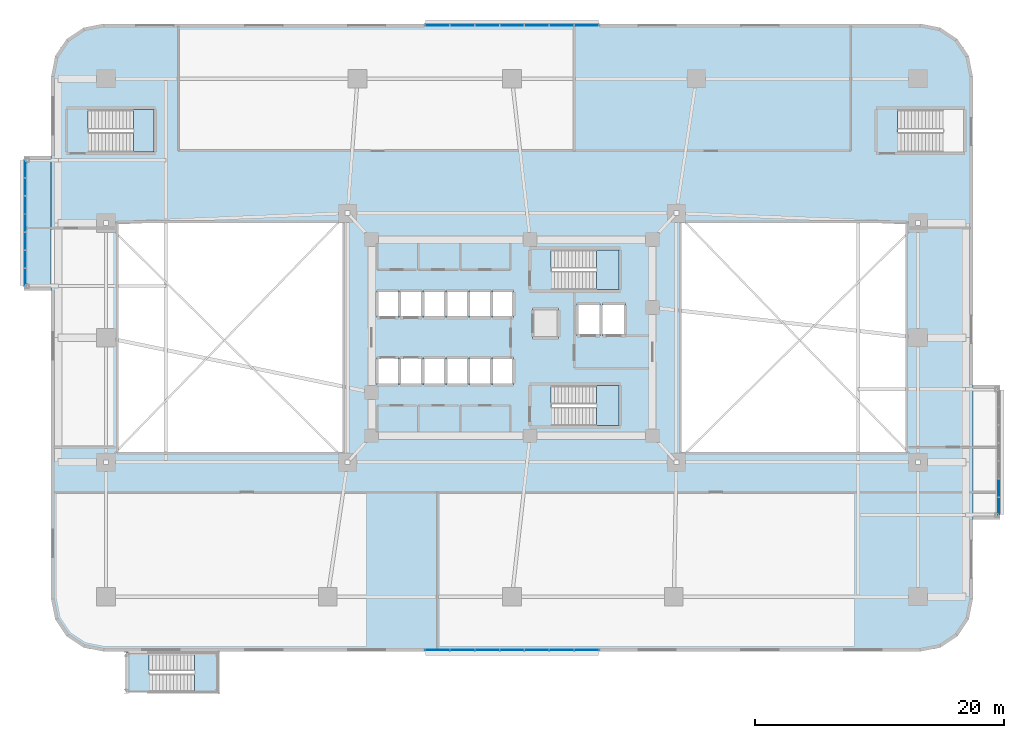
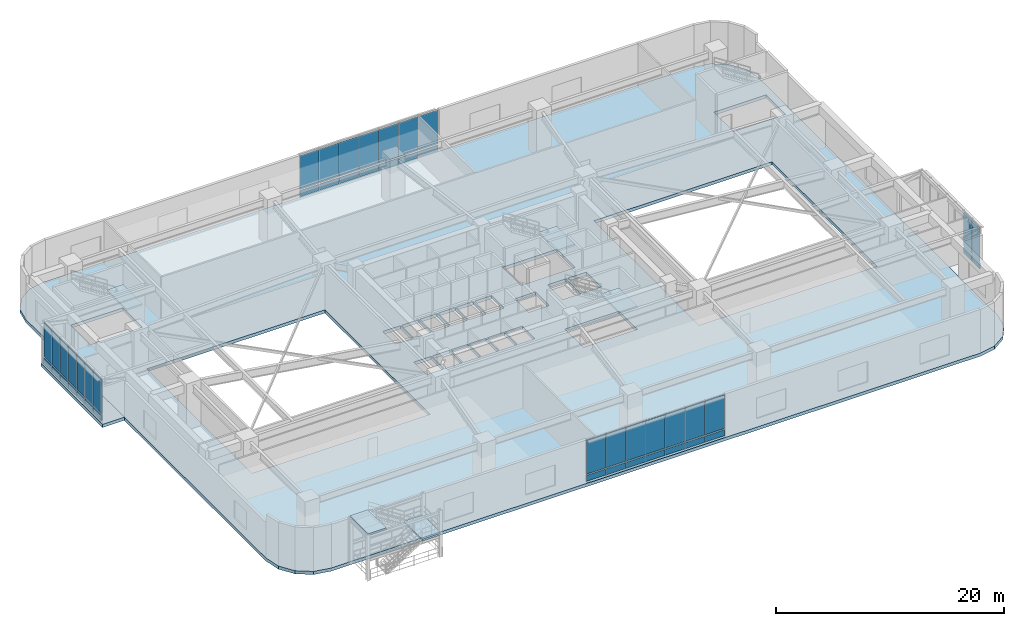
# One storey, part 13 of 24: 46 plates, 7 slabs, 8 elements without a shape of their own.
"""IFC4 building model written with IfcOpenShell, lengths in metres."""

from ifc_helpers import new_model, si_unit, direction, frame, origin, origin_2d, place, context, subcontext, project, spatial, polyline, rectangle, outline, extrude, material, layer, layer_set, type_object, element, aggregate, save


model = new_model("IFC4")

# Units and contexts
model_context = context("Model", 3, precision=1e-05, world=origin(), true_north=direction((0.0, 1.0)))
body_context = subcontext(model_context, "Body", "Model", "MODEL_VIEW")
ifc_project = project(units=[si_unit("LENGTHUNIT", "METRE"), si_unit("AREAUNIT", "SQUARE_METRE"), si_unit("VOLUMEUNIT", "CUBIC_METRE"), si_unit("PLANEANGLEUNIT", "RADIAN"), si_unit("MASSUNIT", "GRAM", prefix="KILO")], contexts=[model_context])

# Site, building, storey
site_placement = place(None, origin())
site = spatial("IfcSite", under=ifc_project, at=site_placement, CompositionType="ELEMENT")
building_placement = place(site_placement, origin())
building = spatial("IfcBuilding", under=site, at=building_placement, Name="Zulverin Broadcast Headquarters", CompositionType="ELEMENT")
storey_placement = place(building_placement, frame((0.0, 0.0, 5.0)))
storey = spatial("IfcBuildingStorey", under=building, at=storey_placement, Name="L01", CompositionType="ELEMENT", Elevation=5.0)

# Curtain wall, plates
ifc_material_1 = material(Name="Pale-metal unitised podium curtain wall", Category="aluminium")
curtain_wall_type_1 = type_object("IfcCurtainWallType", Name="CW-POD", PredefinedType="USERDEFINED", material=ifc_material_1)
curtain_wall_1_placement = place(storey_placement, origin())
curtain_wall_1 = element("IfcCurtainWall", 1, at=curtain_wall_1_placement, inside=storey, type_object=curtain_wall_type_1, Name="L01 Unitised Curtain Wall CW-L01-N2", ObjectType="UNITISED CURTAIN WALL", PredefinedType="USERDEFINED")
ifc_material_2 = material(Name="Low-E double-glazed pale-silver vision glass", Category="glass")
ifc_layer_1 = layer(ifc_material_2, 0.035888671875, Name="Low-E double-glazed pale-silver vision glass", Category="glass")
ifc_layer_set_1 = layer_set([ifc_layer_1], Name="Low-E double-glazed pale-silver vision glass")
plate_type_1 = type_object("IfcPlateType", Name="CW-PNL-GLZ", PredefinedType="CURTAIN_PANEL", material=ifc_layer_set_1)
plate_1_placement = place(storey_placement, frame((43.0, 50.280029296875, 0.9150390625), z_axis=(0.0, 0.0, 1.0), x_axis=(-1.0, 0.0, 0.0)))
plate_1 = element("IfcPlate", 2, at=plate_1_placement, type_object=plate_type_1, Name="CW-L01-N2 Vision Panel 00", PredefinedType="CURTAIN_PANEL", context=body_context, shape_type="SweptSolid", body=[
    extrude(rectangle(XDim=1.9599609375, YDim=0.035888671875, at=origin_2d()), origin(), (0.0, 0.0, 1.0), 3.60498046875),
])
plate_2_placement = place(storey_placement, frame((41.0, 50.280029296875, 0.9150390625), z_axis=(0.0, 0.0, 1.0), x_axis=(-1.0, 0.0, 0.0)))
plate_2 = element("IfcPlate", 3, at=plate_2_placement, type_object=plate_type_1, Name="CW-L01-N2 Vision Panel 01", PredefinedType="CURTAIN_PANEL", context=body_context, shape_type="SweptSolid", body=[
    extrude(rectangle(XDim=1.9599609375, YDim=0.035888671875, at=origin_2d()), origin(), (0.0, 0.0, 1.0), 3.60498046875),
])
plate_3_placement = place(storey_placement, frame((39.0, 50.280029296875, 0.9150390625), z_axis=(0.0, 0.0, 1.0), x_axis=(-1.0, 0.0, 0.0)))
plate_3 = element("IfcPlate", 4, at=plate_3_placement, type_object=plate_type_1, Name="CW-L01-N2 Vision Panel 02", PredefinedType="CURTAIN_PANEL", context=body_context, shape_type="SweptSolid", body=[
    extrude(rectangle(XDim=1.9599609375, YDim=0.035888671875, at=origin_2d()), origin(), (0.0, 0.0, 1.0), 3.60498046875),
])
plate_4_placement = place(storey_placement, frame((37.0, 50.280029296875, 0.9150390625), z_axis=(0.0, 0.0, 1.0), x_axis=(-1.0, 0.0, 0.0)))
plate_4 = element("IfcPlate", 5, at=plate_4_placement, type_object=plate_type_1, Name="CW-L01-N2 Vision Panel 03", PredefinedType="CURTAIN_PANEL", context=body_context, shape_type="SweptSolid", body=[
    extrude(rectangle(XDim=1.9599609375, YDim=0.035888671875, at=origin_2d()), origin(), (0.0, 0.0, 1.0), 3.60498046875),
])
plate_5_placement = place(storey_placement, frame((35.0, 50.280029296875, 0.9150390625), z_axis=(0.0, 0.0, 1.0), x_axis=(-1.0, 0.0, 0.0)))
plate_5 = element("IfcPlate", 6, at=plate_5_placement, type_object=plate_type_1, Name="CW-L01-N2 Vision Panel 04", PredefinedType="CURTAIN_PANEL", context=body_context, shape_type="SweptSolid", body=[
    extrude(rectangle(XDim=1.9599609375, YDim=0.035888671875, at=origin_2d()), origin(), (0.0, 0.0, 1.0), 3.60498046875),
])
plate_6_placement = place(storey_placement, frame((33.0, 50.280029296875, 0.9150390625), z_axis=(0.0, 0.0, 1.0), x_axis=(-1.0, 0.0, 0.0)))
plate_6 = element("IfcPlate", 7, at=plate_6_placement, type_object=plate_type_1, Name="CW-L01-N2 Vision Panel 05", PredefinedType="CURTAIN_PANEL", context=body_context, shape_type="SweptSolid", body=[
    extrude(rectangle(XDim=1.9599609375, YDim=0.035888671875, at=origin_2d()), origin(), (0.0, 0.0, 1.0), 3.60498046875),
])
plate_7_placement = place(storey_placement, frame((31.0, 50.280029296875, 0.9150390625), z_axis=(0.0, 0.0, 1.0), x_axis=(-1.0, 0.0, 0.0)))
plate_7 = element("IfcPlate", 8, at=plate_7_placement, type_object=plate_type_1, Name="CW-L01-N2 Vision Panel 06", PredefinedType="CURTAIN_PANEL", context=body_context, shape_type="SweptSolid", body=[
    extrude(rectangle(XDim=1.9599609375, YDim=0.035888671875, at=origin_2d()), origin(), (0.0, 0.0, 1.0), 3.60498046875),
])

curtain_wall_2_placement = place(storey_placement, origin())
curtain_wall_2 = element("IfcCurtainWall", 9, at=curtain_wall_2_placement, inside=storey, type_object=curtain_wall_type_1, Name="L01 Unitised Curtain Wall CW-L01-S4", ObjectType="UNITISED CURTAIN WALL", PredefinedType="USERDEFINED")
plate_8_placement = place(storey_placement, frame((31.0, 0.1201171875, 0.9150390625), z_axis=(0.0, 0.0, 1.0), x_axis=(1.0, 0.0, 0.0)))
plate_8 = element("IfcPlate", 10, at=plate_8_placement, type_object=plate_type_1, Name="CW-L01-S4 Vision Panel 00", PredefinedType="CURTAIN_PANEL", context=body_context, shape_type="SweptSolid", body=[
    extrude(rectangle(XDim=1.9599609375, YDim=0.035888671875, at=origin_2d()), origin(), (0.0, 0.0, 1.0), 3.60498046875),
])
plate_9_placement = place(storey_placement, frame((33.0, 0.1201171875, 0.9150390625), z_axis=(0.0, 0.0, 1.0), x_axis=(1.0, 0.0, 0.0)))
plate_9 = element("IfcPlate", 11, at=plate_9_placement, type_object=plate_type_1, Name="CW-L01-S4 Vision Panel 01", PredefinedType="CURTAIN_PANEL", context=body_context, shape_type="SweptSolid", body=[
    extrude(rectangle(XDim=1.9599609375, YDim=0.035888671875, at=origin_2d()), origin(), (0.0, 0.0, 1.0), 3.60498046875),
])
plate_10_placement = place(storey_placement, frame((35.0, 0.1201171875, 0.9150390625), z_axis=(0.0, 0.0, 1.0), x_axis=(1.0, 0.0, 0.0)))
plate_10 = element("IfcPlate", 12, at=plate_10_placement, type_object=plate_type_1, Name="CW-L01-S4 Vision Panel 02", PredefinedType="CURTAIN_PANEL", context=body_context, shape_type="SweptSolid", body=[
    extrude(rectangle(XDim=1.9599609375, YDim=0.035888671875, at=origin_2d()), origin(), (0.0, 0.0, 1.0), 3.60498046875),
])
plate_11_placement = place(storey_placement, frame((37.0, 0.1201171875, 0.9150390625), z_axis=(0.0, 0.0, 1.0), x_axis=(1.0, 0.0, 0.0)))
plate_11 = element("IfcPlate", 13, at=plate_11_placement, type_object=plate_type_1, Name="CW-L01-S4 Vision Panel 03", PredefinedType="CURTAIN_PANEL", context=body_context, shape_type="SweptSolid", body=[
    extrude(rectangle(XDim=1.9599609375, YDim=0.035888671875, at=origin_2d()), origin(), (0.0, 0.0, 1.0), 3.60498046875),
])
plate_12_placement = place(storey_placement, frame((39.0, 0.1201171875, 0.9150390625), z_axis=(0.0, 0.0, 1.0), x_axis=(1.0, 0.0, 0.0)))
plate_12 = element("IfcPlate", 14, at=plate_12_placement, type_object=plate_type_1, Name="CW-L01-S4 Vision Panel 04", PredefinedType="CURTAIN_PANEL", context=body_context, shape_type="SweptSolid", body=[
    extrude(rectangle(XDim=1.9599609375, YDim=0.035888671875, at=origin_2d()), origin(), (0.0, 0.0, 1.0), 3.60498046875),
])
plate_13_placement = place(storey_placement, frame((41.0, 0.1201171875, 0.9150390625), z_axis=(0.0, 0.0, 1.0), x_axis=(1.0, 0.0, 0.0)))
plate_13 = element("IfcPlate", 15, at=plate_13_placement, type_object=plate_type_1, Name="CW-L01-S4 Vision Panel 05", PredefinedType="CURTAIN_PANEL", context=body_context, shape_type="SweptSolid", body=[
    extrude(rectangle(XDim=1.9599609375, YDim=0.035888671875, at=origin_2d()), origin(), (0.0, 0.0, 1.0), 3.60498046875),
])
plate_14_placement = place(storey_placement, frame((43.0, 0.1201171875, 0.9150390625), z_axis=(0.0, 0.0, 1.0), x_axis=(1.0, 0.0, 0.0)))
plate_14 = element("IfcPlate", 16, at=plate_14_placement, type_object=plate_type_1, Name="CW-L01-S4 Vision Panel 06", PredefinedType="CURTAIN_PANEL", context=body_context, shape_type="SweptSolid", body=[
    extrude(rectangle(XDim=1.9599609375, YDim=0.035888671875, at=origin_2d()), origin(), (0.0, 0.0, 1.0), 3.60498046875),
])

ifc_material_3 = material(Name="Acoustic triple-glazed studio box curtain wall", Category="aluminium")
curtain_wall_type_2 = type_object("IfcCurtainWallType", Name="CW-SBOX", PredefinedType="USERDEFINED", material=ifc_material_3)
curtain_wall_3_placement = place(storey_placement, origin())
curtain_wall_3 = element("IfcCurtainWall", 17, at=curtain_wall_3_placement, inside=storey, type_object=curtain_wall_type_2, Name="L01 Unitised Curtain Wall CW-L01-SBOX_POD_LOWER_E1-F", ObjectType="UNITISED CURTAIN WALL", PredefinedType="USERDEFINED")
plate_15_placement = place(storey_placement, frame((76.080078125, 11.645751953125, 0.9150390625), z_axis=(0.0, 0.0, 1.0), x_axis=(0.0, 1.0, 0.0)))
plate_15 = element("IfcPlate", 18, at=plate_15_placement, type_object=plate_type_1, Name="CW-L01-SBOX_POD_LOWER_E1-F Vision Panel 00", PredefinedType="CURTAIN_PANEL", context=body_context, shape_type="SweptSolid", body=[
    extrude(rectangle(XDim=1.411376953125, YDim=0.035888671875, at=origin_2d()), origin(), (0.0, 0.0, 1.0), 3.60498046875),
])
plate_16_placement = place(storey_placement, frame((76.080078125, 13.09716796875, 0.9150390625), z_axis=(0.0, 0.0, 1.0), x_axis=(0.0, 1.0, 0.0)))
plate_16 = element("IfcPlate", 19, at=plate_16_placement, type_object=plate_type_1, Name="CW-L01-SBOX_POD_LOWER_E1-F Vision Panel 01", PredefinedType="CURTAIN_PANEL", context=body_context, shape_type="SweptSolid", body=[
    extrude(rectangle(XDim=1.411376953125, YDim=0.035888671875, at=origin_2d()), origin(), (0.0, 0.0, 1.0), 3.60498046875),
])

curtain_wall_4_placement = place(storey_placement, origin())
curtain_wall_4 = element("IfcCurtainWall", 20, at=curtain_wall_4_placement, inside=storey, type_object=curtain_wall_type_2, Name="L01 Unitised Curtain Wall CW-L01-SBOX_POD_LOWER_W1-F", ObjectType="UNITISED CURTAIN WALL", PredefinedType="USERDEFINED")
plate_17_placement = place(storey_placement, frame((-2.080078125, 38.75439453125, 0.9150390625), z_axis=(0.0, 0.0, 1.0), x_axis=(0.0, -1.0, 0.0)))
plate_17 = element("IfcPlate", 21, at=plate_17_placement, type_object=plate_type_1, Name="CW-L01-SBOX_POD_LOWER_W1-F Vision Panel 00", PredefinedType="CURTAIN_PANEL", context=body_context, shape_type="SweptSolid", body=[
    extrude(rectangle(XDim=1.411376953125, YDim=0.035888671875, at=origin_2d()), origin(), (0.0, 0.0, 1.0), 3.60498046875),
])
plate_18_placement = place(storey_placement, frame((-2.080078125, 37.302978515625, 0.9150390625), z_axis=(0.0, 0.0, 1.0), x_axis=(0.0, -1.0, 0.0)))
plate_18 = element("IfcPlate", 22, at=plate_18_placement, type_object=plate_type_1, Name="CW-L01-SBOX_POD_LOWER_W1-F Vision Panel 01", PredefinedType="CURTAIN_PANEL", context=body_context, shape_type="SweptSolid", body=[
    extrude(rectangle(XDim=1.411376953125, YDim=0.035888671875, at=origin_2d()), origin(), (0.0, 0.0, 1.0), 3.60498046875),
])
plate_19_placement = place(storey_placement, frame((-2.080078125, 35.851318359375, 0.9150390625), z_axis=(0.0, 0.0, 1.0), x_axis=(0.0, -1.0, 0.0)))
plate_19 = element("IfcPlate", 23, at=plate_19_placement, type_object=plate_type_1, Name="CW-L01-SBOX_POD_LOWER_W1-F Vision Panel 02", PredefinedType="CURTAIN_PANEL", context=body_context, shape_type="SweptSolid", body=[
    extrude(rectangle(XDim=1.411376953125, YDim=0.035888671875, at=origin_2d()), origin(), (0.0, 0.0, 1.0), 3.60498046875),
])
plate_20_placement = place(storey_placement, frame((-2.080078125, 34.39990234375, 0.9150390625), z_axis=(0.0, 0.0, 1.0), x_axis=(0.0, -1.0, 0.0)))
plate_20 = element("IfcPlate", 24, at=plate_20_placement, type_object=plate_type_1, Name="CW-L01-SBOX_POD_LOWER_W1-F Vision Panel 03", PredefinedType="CURTAIN_PANEL", context=body_context, shape_type="SweptSolid", body=[
    extrude(rectangle(XDim=1.411376953125, YDim=0.035888671875, at=origin_2d()), origin(), (0.0, 0.0, 1.0), 3.60498046875),
])
plate_21_placement = place(storey_placement, frame((-2.080078125, 32.948486328125, 0.9150390625), z_axis=(0.0, 0.0, 1.0), x_axis=(0.0, -1.0, 0.0)))
plate_21 = element("IfcPlate", 25, at=plate_21_placement, type_object=plate_type_1, Name="CW-L01-SBOX_POD_LOWER_W1-F Vision Panel 04", PredefinedType="CURTAIN_PANEL", context=body_context, shape_type="SweptSolid", body=[
    extrude(rectangle(XDim=1.411376953125, YDim=0.035888671875, at=origin_2d()), origin(), (0.0, 0.0, 1.0), 3.60498046875),
])
plate_22_placement = place(storey_placement, frame((-2.080078125, 31.4970703125, 0.9150390625), z_axis=(0.0, 0.0, 1.0), x_axis=(0.0, -1.0, 0.0)))
plate_22 = element("IfcPlate", 26, at=plate_22_placement, type_object=plate_type_1, Name="CW-L01-SBOX_POD_LOWER_W1-F Vision Panel 05", PredefinedType="CURTAIN_PANEL", context=body_context, shape_type="SweptSolid", body=[
    extrude(rectangle(XDim=1.411376953125, YDim=0.035888671875, at=origin_2d()), origin(), (0.0, 0.0, 1.0), 3.60498046875),
])
plate_23_placement = place(storey_placement, frame((-2.080078125, 30.045654296875, 0.9150390625), z_axis=(0.0, 0.0, 1.0), x_axis=(0.0, -1.0, 0.0)))
plate_23 = element("IfcPlate", 27, at=plate_23_placement, type_object=plate_type_1, Name="CW-L01-SBOX_POD_LOWER_W1-F Vision Panel 06", PredefinedType="CURTAIN_PANEL", context=body_context, shape_type="SweptSolid", body=[
    extrude(rectangle(XDim=1.411376953125, YDim=0.035888671875, at=origin_2d()), origin(), (0.0, 0.0, 1.0), 3.60498046875),
])

# Plate
ifc_material_4 = material(Name="Insulated brushed pale-aluminium spandrel cassette", Category="aluminium")
ifc_layer_2 = layer(ifc_material_4, 0.050048828125, Name="Insulated brushed pale-aluminium spandrel cassette", Category="aluminium")
ifc_layer_set_2 = layer_set([ifc_layer_2], Name="Insulated brushed pale-aluminium spandrel cassette")
plate_type_2 = type_object("IfcPlateType", Name="CW-PNL-SPN", PredefinedType="CURTAIN_PANEL", material=ifc_layer_set_2)
plate_24_placement = place(storey_placement, frame((43.0, 50.280029296875, 0.139892578125), z_axis=(0.0, 0.0, 1.0), x_axis=(-1.0, 0.0, 0.0)))
plate_24 = element("IfcPlate", 28, at=plate_24_placement, type_object=plate_type_2, Name="CW-L01-N2 Spandrel Cassette 00", PredefinedType="CURTAIN_PANEL", context=body_context, shape_type="SweptSolid", body=[
    extrude(rectangle(XDim=1.9599609375, YDim=0.050048828125, at=origin_2d()), origin(), (0.0, 0.0, 1.0), 0.64501953125),
])

plate_25_placement = place(storey_placement, frame((41.0, 50.280029296875, 0.139892578125), z_axis=(0.0, 0.0, 1.0), x_axis=(-1.0, 0.0, 0.0)))
plate_25 = element("IfcPlate", 29, at=plate_25_placement, type_object=plate_type_2, Name="CW-L01-N2 Spandrel Cassette 01", PredefinedType="CURTAIN_PANEL", context=body_context, shape_type="SweptSolid", body=[
    extrude(rectangle(XDim=1.9599609375, YDim=0.050048828125, at=origin_2d()), origin(), (0.0, 0.0, 1.0), 0.64501953125),
])

plate_26_placement = place(storey_placement, frame((39.0, 50.280029296875, 0.139892578125), z_axis=(0.0, 0.0, 1.0), x_axis=(-1.0, 0.0, 0.0)))
plate_26 = element("IfcPlate", 30, at=plate_26_placement, type_object=plate_type_2, Name="CW-L01-N2 Spandrel Cassette 02", PredefinedType="CURTAIN_PANEL", context=body_context, shape_type="SweptSolid", body=[
    extrude(rectangle(XDim=1.9599609375, YDim=0.050048828125, at=origin_2d()), origin(), (0.0, 0.0, 1.0), 0.64501953125),
])

plate_27_placement = place(storey_placement, frame((37.0, 50.280029296875, 0.139892578125), z_axis=(0.0, 0.0, 1.0), x_axis=(-1.0, 0.0, 0.0)))
plate_27 = element("IfcPlate", 31, at=plate_27_placement, type_object=plate_type_2, Name="CW-L01-N2 Spandrel Cassette 03", PredefinedType="CURTAIN_PANEL", context=body_context, shape_type="SweptSolid", body=[
    extrude(rectangle(XDim=1.9599609375, YDim=0.050048828125, at=origin_2d()), origin(), (0.0, 0.0, 1.0), 0.64501953125),
])

plate_28_placement = place(storey_placement, frame((35.0, 50.280029296875, 0.139892578125), z_axis=(0.0, 0.0, 1.0), x_axis=(-1.0, 0.0, 0.0)))
plate_28 = element("IfcPlate", 32, at=plate_28_placement, type_object=plate_type_2, Name="CW-L01-N2 Spandrel Cassette 04", PredefinedType="CURTAIN_PANEL", context=body_context, shape_type="SweptSolid", body=[
    extrude(rectangle(XDim=1.9599609375, YDim=0.050048828125, at=origin_2d()), origin(), (0.0, 0.0, 1.0), 0.64501953125),
])

plate_29_placement = place(storey_placement, frame((33.0, 50.280029296875, 0.139892578125), z_axis=(0.0, 0.0, 1.0), x_axis=(-1.0, 0.0, 0.0)))
plate_29 = element("IfcPlate", 33, at=plate_29_placement, type_object=plate_type_2, Name="CW-L01-N2 Spandrel Cassette 05", PredefinedType="CURTAIN_PANEL", context=body_context, shape_type="SweptSolid", body=[
    extrude(rectangle(XDim=1.9599609375, YDim=0.050048828125, at=origin_2d()), origin(), (0.0, 0.0, 1.0), 0.64501953125),
])

plate_30_placement = place(storey_placement, frame((31.0, 50.280029296875, 0.139892578125), z_axis=(0.0, 0.0, 1.0), x_axis=(-1.0, 0.0, 0.0)))
plate_30 = element("IfcPlate", 34, at=plate_30_placement, type_object=plate_type_2, Name="CW-L01-N2 Spandrel Cassette 06", PredefinedType="CURTAIN_PANEL", context=body_context, shape_type="SweptSolid", body=[
    extrude(rectangle(XDim=1.9599609375, YDim=0.050048828125, at=origin_2d()), origin(), (0.0, 0.0, 1.0), 0.64501953125),
])

aggregate(curtain_wall_1, [plate_24, plate_1, plate_25, plate_2, plate_26, plate_3, plate_27, plate_4, plate_28, plate_5, plate_29, plate_6, plate_30, plate_7])

plate_31_placement = place(storey_placement, frame((31.0, 0.1201171875, 0.139892578125), z_axis=(0.0, 0.0, 1.0), x_axis=(1.0, 0.0, 0.0)))
plate_31 = element("IfcPlate", 35, at=plate_31_placement, type_object=plate_type_2, Name="CW-L01-S4 Spandrel Cassette 00", PredefinedType="CURTAIN_PANEL", context=body_context, shape_type="SweptSolid", body=[
    extrude(rectangle(XDim=1.9599609375, YDim=0.050048828125, at=origin_2d()), origin(), (0.0, 0.0, 1.0), 0.64501953125),
])

plate_32_placement = place(storey_placement, frame((33.0, 0.1201171875, 0.139892578125), z_axis=(0.0, 0.0, 1.0), x_axis=(1.0, 0.0, 0.0)))
plate_32 = element("IfcPlate", 36, at=plate_32_placement, type_object=plate_type_2, Name="CW-L01-S4 Spandrel Cassette 01", PredefinedType="CURTAIN_PANEL", context=body_context, shape_type="SweptSolid", body=[
    extrude(rectangle(XDim=1.9599609375, YDim=0.050048828125, at=origin_2d()), origin(), (0.0, 0.0, 1.0), 0.64501953125),
])

plate_33_placement = place(storey_placement, frame((35.0, 0.1201171875, 0.139892578125), z_axis=(0.0, 0.0, 1.0), x_axis=(1.0, 0.0, 0.0)))
plate_33 = element("IfcPlate", 37, at=plate_33_placement, type_object=plate_type_2, Name="CW-L01-S4 Spandrel Cassette 02", PredefinedType="CURTAIN_PANEL", context=body_context, shape_type="SweptSolid", body=[
    extrude(rectangle(XDim=1.9599609375, YDim=0.050048828125, at=origin_2d()), origin(), (0.0, 0.0, 1.0), 0.64501953125),
])

plate_34_placement = place(storey_placement, frame((37.0, 0.1201171875, 0.139892578125), z_axis=(0.0, 0.0, 1.0), x_axis=(1.0, 0.0, 0.0)))
plate_34 = element("IfcPlate", 38, at=plate_34_placement, type_object=plate_type_2, Name="CW-L01-S4 Spandrel Cassette 03", PredefinedType="CURTAIN_PANEL", context=body_context, shape_type="SweptSolid", body=[
    extrude(rectangle(XDim=1.9599609375, YDim=0.050048828125, at=origin_2d()), origin(), (0.0, 0.0, 1.0), 0.64501953125),
])

plate_35_placement = place(storey_placement, frame((39.0, 0.1201171875, 0.139892578125), z_axis=(0.0, 0.0, 1.0), x_axis=(1.0, 0.0, 0.0)))
plate_35 = element("IfcPlate", 39, at=plate_35_placement, type_object=plate_type_2, Name="CW-L01-S4 Spandrel Cassette 04", PredefinedType="CURTAIN_PANEL", context=body_context, shape_type="SweptSolid", body=[
    extrude(rectangle(XDim=1.9599609375, YDim=0.050048828125, at=origin_2d()), origin(), (0.0, 0.0, 1.0), 0.64501953125),
])

plate_36_placement = place(storey_placement, frame((41.0, 0.1201171875, 0.139892578125), z_axis=(0.0, 0.0, 1.0), x_axis=(1.0, 0.0, 0.0)))
plate_36 = element("IfcPlate", 40, at=plate_36_placement, type_object=plate_type_2, Name="CW-L01-S4 Spandrel Cassette 05", PredefinedType="CURTAIN_PANEL", context=body_context, shape_type="SweptSolid", body=[
    extrude(rectangle(XDim=1.9599609375, YDim=0.050048828125, at=origin_2d()), origin(), (0.0, 0.0, 1.0), 0.64501953125),
])

plate_37_placement = place(storey_placement, frame((43.0, 0.1201171875, 0.139892578125), z_axis=(0.0, 0.0, 1.0), x_axis=(1.0, 0.0, 0.0)))
plate_37 = element("IfcPlate", 41, at=plate_37_placement, type_object=plate_type_2, Name="CW-L01-S4 Spandrel Cassette 06", PredefinedType="CURTAIN_PANEL", context=body_context, shape_type="SweptSolid", body=[
    extrude(rectangle(XDim=1.9599609375, YDim=0.050048828125, at=origin_2d()), origin(), (0.0, 0.0, 1.0), 0.64501953125),
])

aggregate(curtain_wall_2, [plate_31, plate_8, plate_32, plate_9, plate_33, plate_10, plate_34, plate_11, plate_35, plate_12, plate_36, plate_13, plate_37, plate_14])

plate_38_placement = place(storey_placement, frame((76.080078125, 11.645751953125, 0.139892578125), z_axis=(0.0, 0.0, 1.0), x_axis=(0.0, 1.0, 0.0)))
plate_38 = element("IfcPlate", 42, at=plate_38_placement, type_object=plate_type_2, Name="CW-L01-SBOX_POD_LOWER_E1-F Spandrel Cassette 00", PredefinedType="CURTAIN_PANEL", context=body_context, shape_type="SweptSolid", body=[
    extrude(rectangle(XDim=1.411376953125, YDim=0.050048828125, at=origin_2d()), origin(), (0.0, 0.0, 1.0), 0.64501953125),
])

plate_39_placement = place(storey_placement, frame((76.080078125, 13.09716796875, 0.139892578125), z_axis=(0.0, 0.0, 1.0), x_axis=(0.0, 1.0, 0.0)))
plate_39 = element("IfcPlate", 43, at=plate_39_placement, type_object=plate_type_2, Name="CW-L01-SBOX_POD_LOWER_E1-F Spandrel Cassette 01", PredefinedType="CURTAIN_PANEL", context=body_context, shape_type="SweptSolid", body=[
    extrude(rectangle(XDim=1.411376953125, YDim=0.050048828125, at=origin_2d()), origin(), (0.0, 0.0, 1.0), 0.64501953125),
])

aggregate(curtain_wall_3, [plate_38, plate_15, plate_39, plate_16])

plate_40_placement = place(storey_placement, frame((-2.080078125, 38.75439453125, 0.139892578125), z_axis=(0.0, 0.0, 1.0), x_axis=(0.0, -1.0, 0.0)))
plate_40 = element("IfcPlate", 44, at=plate_40_placement, type_object=plate_type_2, Name="CW-L01-SBOX_POD_LOWER_W1-F Spandrel Cassette 00", PredefinedType="CURTAIN_PANEL", context=body_context, shape_type="SweptSolid", body=[
    extrude(rectangle(XDim=1.411376953125, YDim=0.050048828125, at=origin_2d()), origin(), (0.0, 0.0, 1.0), 0.64501953125),
])

plate_41_placement = place(storey_placement, frame((-2.080078125, 37.302978515625, 0.139892578125), z_axis=(0.0, 0.0, 1.0), x_axis=(0.0, -1.0, 0.0)))
plate_41 = element("IfcPlate", 45, at=plate_41_placement, type_object=plate_type_2, Name="CW-L01-SBOX_POD_LOWER_W1-F Spandrel Cassette 01", PredefinedType="CURTAIN_PANEL", context=body_context, shape_type="SweptSolid", body=[
    extrude(rectangle(XDim=1.411376953125, YDim=0.050048828125, at=origin_2d()), origin(), (0.0, 0.0, 1.0), 0.64501953125),
])

plate_42_placement = place(storey_placement, frame((-2.080078125, 35.851318359375, 0.139892578125), z_axis=(0.0, 0.0, 1.0), x_axis=(0.0, -1.0, 0.0)))
plate_42 = element("IfcPlate", 46, at=plate_42_placement, type_object=plate_type_2, Name="CW-L01-SBOX_POD_LOWER_W1-F Spandrel Cassette 02", PredefinedType="CURTAIN_PANEL", context=body_context, shape_type="SweptSolid", body=[
    extrude(rectangle(XDim=1.411376953125, YDim=0.050048828125, at=origin_2d()), origin(), (0.0, 0.0, 1.0), 0.64501953125),
])

plate_43_placement = place(storey_placement, frame((-2.080078125, 34.39990234375, 0.139892578125), z_axis=(0.0, 0.0, 1.0), x_axis=(0.0, -1.0, 0.0)))
plate_43 = element("IfcPlate", 47, at=plate_43_placement, type_object=plate_type_2, Name="CW-L01-SBOX_POD_LOWER_W1-F Spandrel Cassette 03", PredefinedType="CURTAIN_PANEL", context=body_context, shape_type="SweptSolid", body=[
    extrude(rectangle(XDim=1.411376953125, YDim=0.050048828125, at=origin_2d()), origin(), (0.0, 0.0, 1.0), 0.64501953125),
])

plate_44_placement = place(storey_placement, frame((-2.080078125, 32.948486328125, 0.139892578125), z_axis=(0.0, 0.0, 1.0), x_axis=(0.0, -1.0, 0.0)))
plate_44 = element("IfcPlate", 48, at=plate_44_placement, type_object=plate_type_2, Name="CW-L01-SBOX_POD_LOWER_W1-F Spandrel Cassette 04", PredefinedType="CURTAIN_PANEL", context=body_context, shape_type="SweptSolid", body=[
    extrude(rectangle(XDim=1.411376953125, YDim=0.050048828125, at=origin_2d()), origin(), (0.0, 0.0, 1.0), 0.64501953125),
])

plate_45_placement = place(storey_placement, frame((-2.080078125, 31.4970703125, 0.139892578125), z_axis=(0.0, 0.0, 1.0), x_axis=(0.0, -1.0, 0.0)))
plate_45 = element("IfcPlate", 49, at=plate_45_placement, type_object=plate_type_2, Name="CW-L01-SBOX_POD_LOWER_W1-F Spandrel Cassette 05", PredefinedType="CURTAIN_PANEL", context=body_context, shape_type="SweptSolid", body=[
    extrude(rectangle(XDim=1.411376953125, YDim=0.050048828125, at=origin_2d()), origin(), (0.0, 0.0, 1.0), 0.64501953125),
])

plate_46_placement = place(storey_placement, frame((-2.080078125, 30.045654296875, 0.139892578125), z_axis=(0.0, 0.0, 1.0), x_axis=(0.0, -1.0, 0.0)))
plate_46 = element("IfcPlate", 50, at=plate_46_placement, type_object=plate_type_2, Name="CW-L01-SBOX_POD_LOWER_W1-F Spandrel Cassette 06", PredefinedType="CURTAIN_PANEL", context=body_context, shape_type="SweptSolid", body=[
    extrude(rectangle(XDim=1.411376953125, YDim=0.050048828125, at=origin_2d()), origin(), (0.0, 0.0, 1.0), 0.64501953125),
])

aggregate(curtain_wall_4, [plate_40, plate_17, plate_41, plate_18, plate_42, plate_19, plate_43, plate_20, plate_44, plate_21, plate_45, plate_22, plate_46, plate_23])

# Slabs
ifc_material_5 = material(Name="Concrete C40/50", Category="concrete")
ifc_layer_3 = layer(ifc_material_5, 0.340087890625, Name="Concrete C40/50", Category="concrete")
ifc_layer_set_3 = layer_set([ifc_layer_3], Name="Concrete C40/50")
slab_type_1 = type_object("IfcSlabType", Name="SLB-POD-340", PredefinedType="FLOOR", material=ifc_layer_set_3)
slab_1_placement = place(storey_placement, frame((0.0, 0.0, -0.340087890625)))
element("IfcSlab", 51, at=slab_1_placement, inside=storey, type_object=slab_type_1, Name="L01 Main Structural Floor Slab", PredefinedType="FLOOR", context=body_context, shape_type="SweptSolid", body=[
    extrude(outline(polyline([(69.800048828125, 0.0), (71.4072265625, 0.319580078125), (72.769775390625, 1.230224609375), (73.680419921875, 2.5927734375), (74.0, 4.199951171875), (74.0, 46.199951171875), (73.680419921875, 47.807373046875), (72.769775390625, 49.169921875), (71.4072265625, 50.080322265625), (69.800048828125, 50.39990234375), (4.199951171875, 50.39990234375), (2.5927734375, 50.080322265625), (1.230224609375, 49.169921875), (0.319580078125, 47.807373046875), (0.0, 46.199951171875), (0.0, 4.199951171875), (0.319580078125, 2.5927734375), (1.230224609375, 1.230224609375), (2.5927734375, 0.319580078125), (4.199951171875, 0.0), (69.800048828125, 0.0)]), holes=[polyline([(40.155029296875, 30.75), (40.13037109375, 30.75), (40.13037109375, 32.25), (45.60009765625, 32.25), (45.60009765625, 29.050048828125), (40.155029296875, 29.050048828125), (40.155029296875, 30.75)]), polyline([(40.155029296875, 19.85009765625), (40.13037109375, 19.85009765625), (40.13037109375, 21.35009765625), (45.60009765625, 21.35009765625), (45.60009765625, 18.14990234375), (40.155029296875, 18.14990234375), (40.155029296875, 19.85009765625)]), polyline([(2.9951171875, 41.89990234375), (2.970458984375, 41.89990234375), (2.970458984375, 43.5), (8.25, 43.5), (8.25, 40.10009765625), (2.9951171875, 40.10009765625), (2.9951171875, 41.89990234375)]), polyline([(67.9951171875, 41.89990234375), (67.970458984375, 41.89990234375), (67.970458984375, 43.5), (73.25, 43.5), (73.25, 40.10009765625), (67.9951171875, 40.10009765625), (67.9951171875, 41.89990234375)]), polyline([(26.14990234375, 26.800048828125), (27.89990234375, 26.800048828125), (27.89990234375, 29.0), (26.14990234375, 29.0), (26.14990234375, 26.800048828125)]), polyline([(28.02001953125, 26.800048828125), (29.77001953125, 26.800048828125), (29.77001953125, 29.0), (28.02001953125, 29.0), (28.02001953125, 26.800048828125)]), polyline([(26.14990234375, 21.39990234375), (27.89990234375, 21.39990234375), (27.89990234375, 23.60009765625), (26.14990234375, 23.60009765625), (26.14990234375, 21.39990234375)]), polyline([(28.02001953125, 21.39990234375), (29.77001953125, 21.39990234375), (29.77001953125, 23.60009765625), (28.02001953125, 23.60009765625), (28.02001953125, 21.39990234375)]), polyline([(29.89990234375, 21.39990234375), (31.6201171875, 21.39990234375), (31.6201171875, 23.60009765625), (29.89990234375, 23.60009765625), (29.89990234375, 21.39990234375)]), polyline([(31.739990234375, 21.39990234375), (33.4599609375, 21.39990234375), (33.4599609375, 23.60009765625), (31.739990234375, 23.60009765625), (31.739990234375, 21.39990234375)]), polyline([(33.580078125, 21.39990234375), (35.300048828125, 21.39990234375), (35.300048828125, 23.60009765625), (33.580078125, 23.60009765625), (33.580078125, 21.39990234375)]), polyline([(35.419921875, 21.39990234375), (37.139892578125, 21.39990234375), (37.139892578125, 23.60009765625), (35.419921875, 23.60009765625), (35.419921875, 21.39990234375)]), polyline([(29.89990234375, 26.800048828125), (31.6201171875, 26.800048828125), (31.6201171875, 29.0), (29.89990234375, 29.0), (29.89990234375, 26.800048828125)]), polyline([(31.739990234375, 26.800048828125), (33.4599609375, 26.800048828125), (33.4599609375, 29.0), (31.739990234375, 29.0), (31.739990234375, 26.800048828125)]), polyline([(33.580078125, 26.800048828125), (35.300048828125, 26.800048828125), (35.300048828125, 29.0), (33.580078125, 29.0), (33.580078125, 26.800048828125)]), polyline([(35.419921875, 26.800048828125), (37.139892578125, 26.800048828125), (37.139892578125, 29.0), (35.419921875, 29.0), (35.419921875, 26.800048828125)]), polyline([(42.199951171875, 25.35009765625), (44.050048828125, 25.35009765625), (44.050048828125, 27.949951171875), (42.199951171875, 27.949951171875), (42.199951171875, 25.35009765625)]), polyline([(44.25, 25.35009765625), (46.10009765625, 25.35009765625), (46.10009765625, 27.949951171875), (44.25, 27.949951171875), (44.25, 25.35009765625)]), polyline([(38.64990234375, 25.14990234375), (40.75, 25.14990234375), (40.75, 27.550048828125), (38.64990234375, 27.550048828125), (38.64990234375, 25.14990234375)]), polyline([(5.39990234375, 16.0), (23.39990234375, 16.0), (23.39990234375, 34.39990234375), (5.39990234375, 34.39990234375), (5.39990234375, 16.0)]), polyline([(50.60009765625, 16.0), (68.60009765625, 16.0), (68.60009765625, 34.39990234375), (50.60009765625, 34.39990234375), (50.60009765625, 16.0)])]), origin(), (0.0, 0.0, 1.0), 0.340087890625),
])
slab_2_placement = place(storey_placement, frame((0.0, 0.0, -0.340087890625)))
element("IfcSlab", 52, at=slab_2_placement, inside=storey, type_object=slab_type_1, Name="L01 Shifted Broadcast Studio Box Floor Slab SBOX_POD_LOWER_W1", PredefinedType="FLOOR", context=body_context, shape_type="SweptSolid", body=[
    extrude(outline(polyline([(-2.199951171875, 29.0), (0.0, 29.0), (0.0, 39.800048828125), (-2.199951171875, 39.800048828125), (-2.199951171875, 29.0)])), origin(), (0.0, 0.0, 1.0), 0.340087890625),
])

# Stair, slab
stair_type_1 = type_object("IfcStairType", Name="ST-CORE-1500", PredefinedType="HALF_TURN_STAIR", material=ifc_material_5)
stair_1_placement = place(storey_placement, origin())
stair_1 = element("IfcStair", 53, at=stair_1_placement, inside=storey, type_object=stair_type_1, Name="L01 Core Exit Stair ST-1", PredefinedType="HALF_TURN_STAIR")
ifc_layer_4 = layer(ifc_material_5, 0.199951171875, Name="Concrete C40/50", Category="concrete")
ifc_layer_set_4 = layer_set([ifc_layer_4], Name="Concrete C40/50")
slab_type_2 = type_object("IfcSlabType", Name="SLB-ST-LND200", PredefinedType="LANDING", material=ifc_layer_set_4)
slab_3_placement = place(storey_placement, frame((0.0, 0.0, 2.300048828125)))
slab_3 = element("IfcSlab", 54, at=slab_3_placement, type_object=slab_type_2, Name="ST-1 landing 1", PredefinedType="LANDING", context=body_context, shape_type="SweptSolid", body=[
    extrude(outline(polyline([(43.77001953125, 29.050048828125), (45.60009765625, 29.050048828125), (45.60009765625, 32.25), (43.77001953125, 32.25), (43.77001953125, 29.050048828125)])), origin(), (0.0, 0.0, 1.0), 0.199951171875),
])
aggregate(stair_1, [slab_3])

stair_2_placement = place(storey_placement, origin())
stair_2 = element("IfcStair", 55, at=stair_2_placement, inside=storey, type_object=stair_type_1, Name="L01 Core Exit Stair ST-2", PredefinedType="HALF_TURN_STAIR")
slab_4_placement = place(storey_placement, frame((0.0, 0.0, 2.300048828125)))
slab_4 = element("IfcSlab", 56, at=slab_4_placement, type_object=slab_type_2, Name="ST-2 landing 1", PredefinedType="LANDING", context=body_context, shape_type="SweptSolid", body=[
    extrude(outline(polyline([(43.77001953125, 18.14990234375), (45.60009765625, 18.14990234375), (45.60009765625, 21.35009765625), (43.77001953125, 21.35009765625), (43.77001953125, 18.14990234375)])), origin(), (0.0, 0.0, 1.0), 0.199951171875),
])
aggregate(stair_2, [slab_4])

stair_type_2 = type_object("IfcStairType", Name="ST-POD-1600", PredefinedType="HALF_TURN_STAIR", material=ifc_material_5)
stair_3_placement = place(storey_placement, origin())
stair_3 = element("IfcStair", 57, at=stair_3_placement, inside=storey, type_object=stair_type_2, Name="L01 Podium Exit Stair ST-3", PredefinedType="HALF_TURN_STAIR")
slab_5_placement = place(storey_placement, frame((0.0, 0.0, 2.300048828125)))
slab_5 = element("IfcSlab", 58, at=slab_5_placement, type_object=slab_type_2, Name="ST-3 landing 1", PredefinedType="LANDING", context=body_context, shape_type="SweptSolid", body=[
    extrude(outline(polyline([(6.610107421875, 40.10009765625), (8.25, 40.10009765625), (8.25, 43.5), (6.610107421875, 43.5), (6.610107421875, 40.10009765625)])), origin(), (0.0, 0.0, 1.0), 0.199951171875),
])
aggregate(stair_3, [slab_5])

# Stair, slabs
stair_type_3 = type_object("IfcStairType", Name="ST-GDN-1500", PredefinedType="HALF_TURN_STAIR", material=ifc_material_5)
stair_4_placement = place(storey_placement, origin())
stair_4 = element("IfcStair", 59, at=stair_4_placement, inside=storey, type_object=stair_type_3, Name="L01 Exterior Public Garden Stair ST-5", PredefinedType="HALF_TURN_STAIR")
slab_6_placement = place(storey_placement, frame((0.0, 0.0, 2.300048828125)))
slab_6 = element("IfcSlab", 60, at=slab_6_placement, type_object=slab_type_2, Name="ST-5 landing 1", PredefinedType="LANDING", context=body_context, shape_type="SweptSolid", body=[
    extrude(outline(polyline([(11.489990234375, -3.280029296875), (13.39990234375, -3.280029296875), (13.39990234375, -0.080078125), (11.489990234375, -0.080078125), (11.489990234375, -3.280029296875)])), origin(), (0.0, 0.0, 1.0), 0.199951171875),
])
placement = place(building_placement, frame((0.0, 0.0, 10.0)))
slab_7_placement = place(placement, frame((0.0, 0.0, -0.199951171875)))
slab_7 = element("IfcSlab", 61, at=slab_7_placement, type_object=slab_type_2, Name="L02 Exterior Garden Stair Floor Landing", PredefinedType="LANDING", context=body_context, shape_type="SweptSolid", body=[
    extrude(outline(polyline([(6.02001953125, -3.280029296875), (7.875, -3.280029296875), (7.875, -1.679931640625), (7.850341796875, -1.679931640625), (7.850341796875, -0.080078125), (6.02001953125, -0.080078125), (6.02001953125, -3.280029296875)])), origin(), (0.0, 0.0, 1.0), 0.199951171875),
])
aggregate(stair_4, [slab_6, slab_7])

save(model, "model.ifc")
